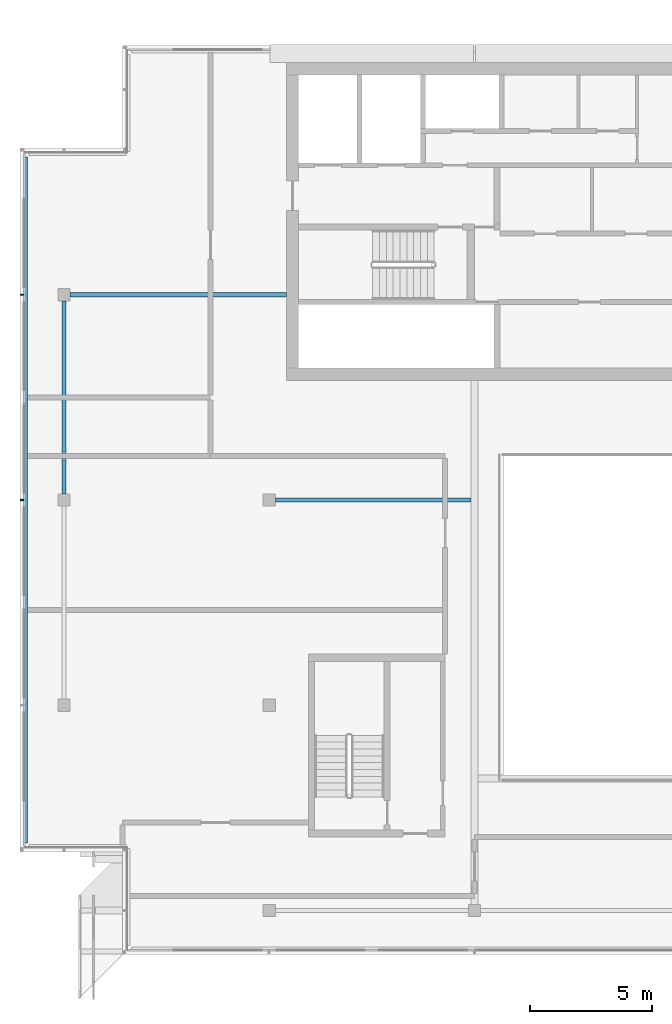
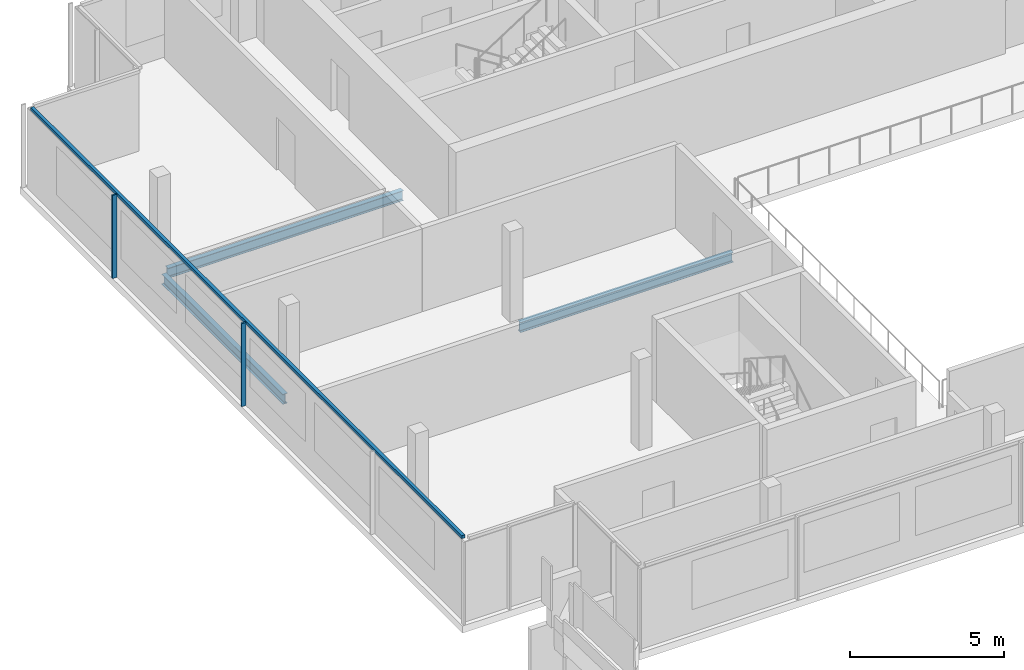
# One storey, part 4 of 19: 3 beams, 3 members, 1 element without a shape of its own.
"""IFC4 building model written with IfcOpenShell, lengths in metres."""

from ifc_helpers import new_model, si_unit, direction, frame, origin, origin_2d, place, context, subcontext, project, spatial, rectangle, i_section, extrude, material, material_profile, profile_set, type_object, element, aggregate, save


model = new_model("IFC4")

# Units and contexts
model_context = context("Model", 3, precision=1e-05, world=origin(), true_north=direction((0.0, 1.0)))
body_context = subcontext(model_context, "Body", "Model", "MODEL_VIEW")
ifc_project = project(units=[si_unit("LENGTHUNIT", "METRE"), si_unit("AREAUNIT", "SQUARE_METRE"), si_unit("VOLUMEUNIT", "CUBIC_METRE"), si_unit("PLANEANGLEUNIT", "RADIAN"), si_unit("MASSUNIT", "GRAM", prefix="KILO")], contexts=[model_context])

# Site, building, storey
site_placement = place(None, origin())
site = spatial("IfcSite", under=ifc_project, at=site_placement, CompositionType="ELEMENT")
building_placement = place(site_placement, origin())
building = spatial("IfcBuilding", under=site, at=building_placement, Name="Saffron Gate Tower", CompositionType="ELEMENT")
storey_placement = place(building_placement, frame((0.0, 0.0, 306.75)))
storey = spatial("IfcBuildingStorey", under=building, at=storey_placement, Name="L75", CompositionType="ELEMENT", Elevation=306.75)

# Beams
ifc_material_1 = material(Name="Structural steel S355", Category="steel")
ifc_material_profile_1 = material_profile(ifc_material_1, i_section(OverallWidth=0.179931640625, OverallDepth=0.39990234375, WebThickness=0.008544921875, FlangeThickness=0.013427734375, FilletRadius=0.02099609375, at=origin_2d()))
ifc_profile_set_1 = profile_set([ifc_material_profile_1], Name="Structural steel S355")
beam_type_1 = type_object("IfcBeamType", Name="B4 IPE 400", PredefinedType="BEAM", material=ifc_profile_set_1)
beam_1_placement = place(storey_placement, frame((66.85009765625, 57.0, -0.47998046875), z_axis=(1.0, 0.0, 0.0), x_axis=(0.0, 1.0, 0.0)))
element("IfcBeam", 1, at=beam_1_placement, inside=storey, type_object=beam_type_1, Name="B4 CORE TIE BEAM", PredefinedType="BEAM", context=body_context, shape_type="SweptSolid", body=[
    extrude(i_section(OverallWidth=0.179931640625, OverallDepth=0.39990234375, WebThickness=0.008544921875, FlangeThickness=0.013427734375, FilletRadius=0.02099609375, at=origin_2d()), origin(), (0.0, 0.0, 1.0), 8.0),
])
beam_2_placement = place(storey_placement, frame((58.449951171875, 65.39990234375, -0.47998046875), z_axis=(1.0, 0.0, 0.0), x_axis=(0.0, 1.0, 0.0)))
element("IfcBeam", 2, at=beam_2_placement, inside=storey, type_object=beam_type_1, Name="B4 CORE TIE BEAM", PredefinedType="BEAM", context=body_context, shape_type="SweptSolid", body=[
    extrude(i_section(OverallWidth=0.179931640625, OverallDepth=0.39990234375, WebThickness=0.008544921875, FlangeThickness=0.013427734375, FilletRadius=0.02099609375, at=origin_2d()), origin(), (0.0, 0.0, 1.0), 8.85009765625),
])
ifc_material_profile_2 = material_profile(ifc_material_1, i_section(OverallWidth=0.179931640625, OverallDepth=0.39990234375, WebThickness=0.008544921875, FlangeThickness=0.013427734375, FilletRadius=0.02099609375, at=origin_2d()))
ifc_profile_set_2 = profile_set([ifc_material_profile_2], Name="Structural steel S355")
beam_type_2 = type_object("IfcBeamType", Name="B5 IPE 400", PredefinedType="SPANDREL", material=ifc_profile_set_2)
beam_3_placement = place(storey_placement, frame((58.199951171875, 57.25, -0.47998046875), z_axis=(0.0, 1.0, 0.0), x_axis=(-1.0, 0.0, 0.0)))
element("IfcBeam", 3, at=beam_3_placement, inside=storey, type_object=beam_type_2, Name="B5 SPANDREL BEAM", PredefinedType="SPANDREL", context=body_context, shape_type="SweptSolid", body=[
    extrude(i_section(OverallWidth=0.179931640625, OverallDepth=0.39990234375, WebThickness=0.008544921875, FlangeThickness=0.013427734375, FilletRadius=0.02099609375, at=origin_2d()), origin(), (0.0, 0.0, 1.0), 7.89990234375),
])

# Curtain wall, members
ifc_material_2 = material(Name="Aluminium, bronze anodised", Category="aluminium")
curtain_wall_type = type_object("IfcCurtainWallType", Name="CWS2 curtain wall side facades", PredefinedType="NOTDEFINED", material=ifc_material_2)
curtain_wall_placement = place(storey_placement, origin())
curtain_wall = element("IfcCurtainWall", 4, at=curtain_wall_placement, inside=storey, type_object=curtain_wall_type, Name="CWS2 run 10", PredefinedType="NOTDEFINED")
ifc_material_profile_3 = material_profile(ifc_material_2, rectangle(XDim=0.1201171875, YDim=0.1201171875, at=origin_2d()))
ifc_profile_set_3 = profile_set([ifc_material_profile_3], Name="Aluminium, bronze anodised")
member_type_1 = type_object("IfcMemberType", Name="CWS2 head transom", PredefinedType="USERDEFINED", material=ifc_profile_set_3)
member_1_placement = place(storey_placement, frame((56.64794921875, 71.031982421875, 3.239990234375), z_axis=(0.0, -1.0, 0.0), x_axis=(1.0, 0.0, 0.0)))
member_1 = element("IfcMember", 5, at=member_1_placement, type_object=member_type_1, Name="CWS2 head transom", ObjectType="TRANSOM", PredefinedType="USERDEFINED", context=body_context, shape_type="SweptSolid", body=[
    extrude(rectangle(XDim=0.1201171875, YDim=0.1201171875, at=origin_2d()), origin(), (0.0, 0.0, 1.0), 28.06396484375),
])
ifc_material_profile_4 = material_profile(ifc_material_2, rectangle(XDim=0.159912109375, YDim=0.06005859375, at=origin_2d()))
ifc_profile_set_4 = profile_set([ifc_material_profile_4], Name="Aluminium, bronze anodised")
member_type_2 = type_object("IfcMemberType", Name="CWS2 mullion 60x160", PredefinedType="MULLION", material=ifc_profile_set_4)
member_2_placement = place(storey_placement, frame((56.47998046875, 65.39990234375, 0.0), z_axis=(0.0, 0.0, 1.0), x_axis=(1.0, 0.0, 0.0)))
member_2 = element("IfcMember", 6, at=member_2_placement, type_object=member_type_2, Name="CWS2 mullion 2", PredefinedType="MULLION", context=body_context, shape_type="SweptSolid", body=[
    extrude(rectangle(XDim=0.159912109375, YDim=0.06005859375, at=origin_2d()), origin(), (0.0, 0.0, 1.0), 3.300048828125),
])
member_3_placement = place(storey_placement, frame((56.47998046875, 57.0, 0.0), z_axis=(0.0, 0.0, 1.0), x_axis=(1.0, 0.0, 0.0)))
member_3 = element("IfcMember", 7, at=member_3_placement, type_object=member_type_2, Name="CWS2 mullion 3", PredefinedType="MULLION", context=body_context, shape_type="SweptSolid", body=[
    extrude(rectangle(XDim=0.159912109375, YDim=0.06005859375, at=origin_2d()), origin(), (0.0, 0.0, 1.0), 3.300048828125),
])
aggregate(curtain_wall, [member_2, member_3, member_1])

save(model, "model.ifc")
